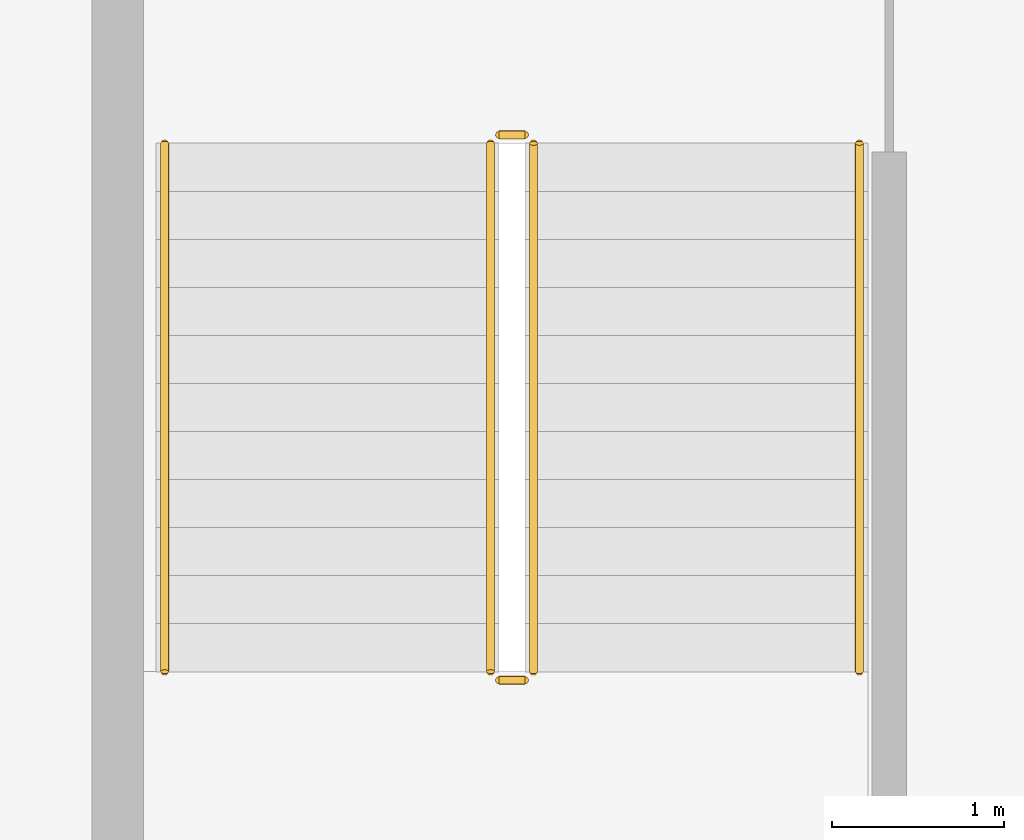
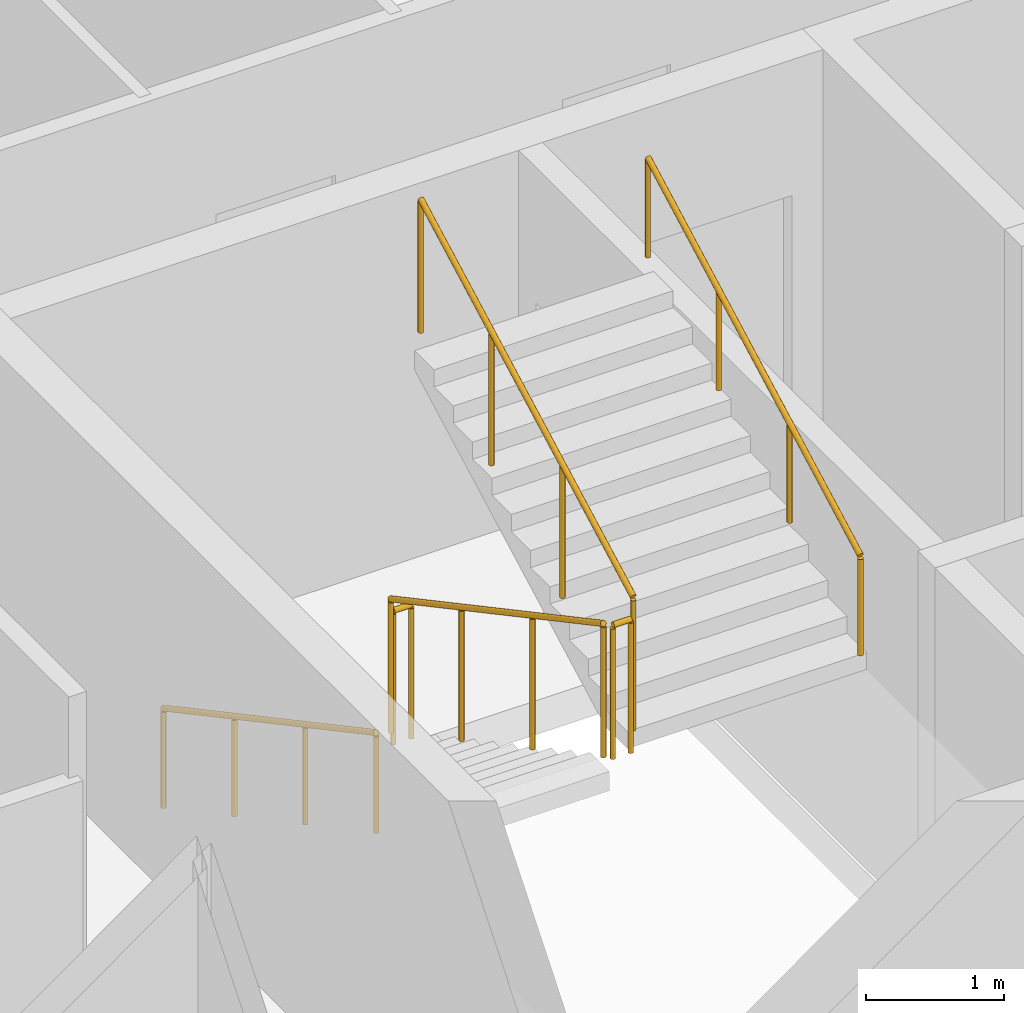
# One storey, part 13 of 15: 6 railings.
"""IFC4 building model written with IfcOpenShell, lengths in metres."""

import ifcopenshell
import ifcopenshell.guid

model = None  # the IFC model being written
_history = None  # IfcOwnerHistory: only IFC2X3 demands one
_inside = {}  # id of a spatial element -> (the spatial element, [elements in it])
_under = {}  # id of a project, library or spatial element -> (it, [spatial elements below it])
_declared = {}  # id of a project -> (the project, [libraries it declares])
_typed = {}  # id of a type object -> (the type object, [elements of that type])
_made_of = {}  # id of a material, layer set ... -> (it, [elements and type objects made of it])


def new_model(schema):
    """Start an empty IFC model of exactly this schema.

    Asked for "IFC4X3", IfcOpenShell would pick the latest addendum, in which some entities
    have other attributes; the version numbers below select the first issue.
    IFC2X3 requires an IfcOwnerHistory on every rooted entity: one is made here for all.
    """
    global model, _history
    if schema == "IFC4X3":
        model = ifcopenshell.file(schema_version=(4, 3, 0, 0))
    else:
        model = ifcopenshell.file(schema=schema)
    _inside.clear()
    _under.clear()
    _declared.clear()
    _typed.clear()
    _made_of.clear()
    _history = None
    if model.schema == "IFC2X3":
        org = make("IfcOrganization", Name="unknown")
        user = make(
            "IfcPersonAndOrganization",
            ThePerson=make("IfcPerson", FamilyName="unknown"),
            TheOrganization=org,
        )
        app = make(
            "IfcApplication",
            ApplicationDeveloper=org,
            Version="unknown",
            ApplicationFullName="unknown",
            ApplicationIdentifier="unknown",
        )
        _history = make(
            "IfcOwnerHistory",
            OwningUser=user,
            OwningApplication=app,
            ChangeAction="ADDED",
            CreationDate=0,
        )
    return model


def make(cls, **values):
    """One entity of the class cls with the attributes given. An attribute that is None is left unset."""
    return model.create_entity(
        cls, **{name: value for name, value in values.items() if value is not None}
    )


def rooted(cls, **values):
    """An entity with a GlobalId (a new one), such as an element, a storey or a relation."""
    return make(cls, GlobalId=ifcopenshell.guid.new(), OwnerHistory=_history, **values)


def si_unit(unit_type, name, prefix=None):
    """IfcSIUnit, for example si_unit("LENGTHUNIT", "METRE", prefix="MILLI")."""
    return make("IfcSIUnit", UnitType=unit_type, Prefix=prefix, Name=name)


def assignment(units):
    """IfcUnitAssignment: the units of a project."""
    return None if units is None else make("IfcUnitAssignment", Units=units)


def point(xyz):
    """IfcCartesianPoint."""
    return None if xyz is None else make("IfcCartesianPoint", Coordinates=xyz)


def direction(xyz):
    """IfcDirection."""
    return None if xyz is None else make("IfcDirection", DirectionRatios=xyz)


def frame(location, z_axis=None, x_axis=None):
    """IfcAxis2Placement3D, a coordinate frame: its origin and axes. An axis left out is left unset."""
    return make(
        "IfcAxis2Placement3D",
        Location=point(location),
        Axis=direction(z_axis),
        RefDirection=direction(x_axis),
    )


def frame_2d(location, x_axis=None):
    """IfcAxis2Placement2D, a coordinate frame in the plane: its origin and x axis."""
    return make(
        "IfcAxis2Placement2D", Location=point(location), RefDirection=direction(x_axis)
    )


def origin():
    """The frame at (0, 0, 0) with its axes left unset."""
    return frame((0.0, 0.0, 0.0))


def origin_2d():
    """The frame at (0, 0) in the plane with its x axis left unset."""
    return frame_2d((0.0, 0.0))


def place(relative_to, where):
    """IfcLocalPlacement: puts the frame where relative to a parent placement (None: the world)."""
    return make(
        "IfcLocalPlacement", PlacementRelTo=relative_to, RelativePlacement=where
    )


def context(
    kind, dimensions, precision=None, world=None, true_north=None, identifier=None
):
    """IfcGeometricRepresentationContext, for example the 3D "Model" context."""
    return make(
        "IfcGeometricRepresentationContext",
        ContextIdentifier=identifier,
        ContextType=kind,
        CoordinateSpaceDimension=dimensions,
        Precision=precision,
        WorldCoordinateSystem=world,
        TrueNorth=true_north,
    )


def subcontext(parent, identifier, kind, view, scale=None):
    """IfcGeometricRepresentationSubContext, for example "Body" below "Model"."""
    return make(
        "IfcGeometricRepresentationSubContext",
        ContextIdentifier=identifier,
        ContextType=kind,
        ParentContext=parent,
        TargetScale=scale,
        TargetView=view,
    )


def project(units=None, contexts=None):
    """IfcProject with its units and contexts."""
    return rooted(
        "IfcProject",
        Name="project",
        RepresentationContexts=contexts,
        UnitsInContext=assignment(units),
    )


def spatial(cls, under=None, at=None, **own):
    """A site, building, storey or space (cls), placed at a placement, below another one or the project."""
    s = rooted(cls, ObjectPlacement=at, **own)
    if under is not None:
        _under.setdefault(under.id(), (under, []))[1].append(s)
    return s


def profile(cls, at=None, kind="AREA", **sizes):
    """A parametric profile (cls). Its sizes go by their IFC names, for example OverallWidth=200.0."""
    return make(cls, ProfileType=kind, Position=at, **sizes)


def circle(**sizes):
    """IfcCircleProfileDef."""
    return profile("IfcCircleProfileDef", **sizes)


def extrude(swept, where, along, depth):
    """IfcExtrudedAreaSolid: the profile swept, set in the frame where, extruded along a direction by depth."""
    return make(
        "IfcExtrudedAreaSolid",
        SweptArea=swept,
        Position=where,
        ExtrudedDirection=direction(along),
        Depth=depth,
    )


def shape(context_of_items, identifier, shape_type, items):
    """IfcShapeRepresentation: the items that make up one representation, for example the "Body"."""
    return make(
        "IfcShapeRepresentation",
        ContextOfItems=context_of_items,
        RepresentationIdentifier=identifier,
        RepresentationType=shape_type,
        Items=items,
    )


def material(Name=None, Category=None):
    """IfcMaterial."""
    return make("IfcMaterial", Name=Name, Category=Category)


def made_of(thing, what):
    """Note that an element or type object is made of a material, layer set ...; save() writes the relation."""
    if what is not None:
        _made_of.setdefault(what.id(), (what, []))[1].append(thing)
    return thing


def type_object(cls, material=None, **own):
    """A type object (cls), such as IfcWallType, which elements share."""
    return made_of(rooted(cls, **own), material)


def element(
    cls,
    number,
    at=None,
    inside=None,
    cuts=None,
    type_object=None,
    material=None,
    context=None,
    identifier="Body",
    shape_type=None,
    held_by="IfcProductDefinitionShape",
    body=None,
    shapes=None,
    **own,
):
    """One element of the class cls, such as IfcWall. Its Tag is "e" and its number.

    at: its placement. inside: the storey or other place that contains it. cuts: it is an
    opening in that element (IfcRelVoidsElement). A single representation is given by context,
    identifier, shape_type and body (its items); several are given by shapes. held_by: the class
    of the entity that holds the representations. save() writes the other relations.
    """
    e = rooted(cls, Tag="e%d" % number, ObjectPlacement=at, **own)
    if body is not None:
        shapes = [shape(context, identifier, shape_type, body)]
    if shapes is not None:
        e.Representation = make(held_by, Representations=shapes)
    if inside is not None:
        _inside.setdefault(inside.id(), (inside, []))[1].append(e)
    if cuts is not None:
        rooted(
            "IfcRelVoidsElement", RelatingBuildingElement=cuts, RelatedOpeningElement=e
        )
    if type_object is not None:
        _typed.setdefault(type_object.id(), (type_object, []))[1].append(e)
    return made_of(e, material)


def aggregate(whole, parts):
    """IfcRelAggregates: a whole, such as a stair, and the parts it consists of."""
    return rooted("IfcRelAggregates", RelatingObject=whole, RelatedObjects=parts)


def save(model, path):
    """Write the relations noted so far, then the file.

    IfcRelAggregates (storeys below a building ...), IfcRelContainedInSpatialStructure (elements
    in a storey), IfcRelDefinesByType, IfcRelAssociatesMaterial and IfcRelDeclares: one each for
    every whole, place, type object, material and project.
    """
    for whole, parts in _under.values():
        aggregate(whole, parts)
    for where, things in _inside.values():
        rooted(
            "IfcRelContainedInSpatialStructure",
            RelatedElements=things,
            RelatingStructure=where,
        )
    for kind, things in _typed.values():
        rooted("IfcRelDefinesByType", RelatedObjects=things, RelatingType=kind)
    for what, things in _made_of.values():
        rooted("IfcRelAssociatesMaterial", RelatedObjects=things, RelatingMaterial=what)
    for by, libraries in _declared.values():
        rooted("IfcRelDeclares", RelatingContext=by, RelatedDefinitions=libraries)
    model.write(path)


model = new_model("IFC4")

# Units and contexts
model_context = context("Model", 3, precision=1e-05, world=origin(), true_north=direction((0.0, 1.0)))
body_context = subcontext(model_context, "Body", "Model", "MODEL_VIEW")
ifc_project = project(units=[si_unit("LENGTHUNIT", "METRE"), si_unit("AREAUNIT", "SQUARE_METRE"), si_unit("VOLUMEUNIT", "CUBIC_METRE"), si_unit("PLANEANGLEUNIT", "RADIAN"), si_unit("MASSUNIT", "GRAM", prefix="KILO")], contexts=[model_context])

# Site, building, storey
site_placement = place(None, origin())
site = spatial("IfcSite", under=ifc_project, at=site_placement, CompositionType="ELEMENT")
building_placement = place(site_placement, origin())
building = spatial("IfcBuilding", under=site, at=building_placement, Name="Caravel Reach Hotel and Residences", CompositionType="ELEMENT")
storey_placement = place(building_placement, frame((0.0, 0.0, 78.0)))
storey = spatial("IfcBuildingStorey", under=building, at=storey_placement, Name="L18", CompositionType="ELEMENT", Elevation=78.0)

# Railings
ifc_material_1 = material(Name="Steel balustrade with glass infill", Category="steel")
railing_type_1 = type_object("IfcRailingType", Name="Guard 1200", PredefinedType="GUARDRAIL", material=ifc_material_1)
railing_1_placement = place(storey_placement, frame((20.175048828125, 29.35009765625, 0.14990234375)))
element("IfcRailing", 1, at=railing_1_placement, inside=storey, type_object=railing_type_1, Name="L18 ST-A stair guard 1", PredefinedType="GUARDRAIL", context=body_context, shape_type="SweptSolid", body=[
    extrude(circle(Radius=0.02392578125, at=origin_2d()), frame((0.0, 0.0, 1.17578125), z_axis=(0.0, -0.881467505477, 0.472244678941), x_axis=(1.0, 0.0, 0.0)), (0.0, 0.0, 1.0), 3.494140625),
    extrude(circle(Radius=0.02099609375, at=origin_2d()), origin(), (0.0, 0.0, 1.0), 1.15185546875),
    extrude(circle(Radius=0.02099609375, at=origin_2d()), frame((0.0, -1.026611328125, 0.550048828125)), (0.0, 0.0, 1.0), 1.15185546875),
    extrude(circle(Radius=0.02099609375, at=origin_2d()), frame((0.0, -2.053466796875, 1.10009765625)), (0.0, 0.0, 1.0), 1.15185546875),
    extrude(circle(Radius=0.02099609375, at=origin_2d()), frame((0.0, -3.080078125, 1.650146484375)), (0.0, 0.0, 1.0), 1.15185546875),
])
railing_2_placement = place(storey_placement, frame((20.22509765625, 26.219970703125, 1.800048828125)))
element("IfcRailing", 2, at=railing_2_placement, inside=storey, type_object=railing_type_1, Name="L18 ST-A stair guard 2", PredefinedType="GUARDRAIL", context=body_context, shape_type="SweptSolid", body=[
    extrude(circle(Radius=0.02392578125, at=origin_2d()), frame((0.0, 0.0, 1.17578125), z_axis=(1.0, 0.0, 0.0), x_axis=(0.0, 1.0, 0.0)), (0.0, 0.0, 1.0), 0.14990234375),
    extrude(circle(Radius=0.02099609375, at=origin_2d()), origin(), (0.0, 0.0, 1.0), 1.15185546875),
    extrude(circle(Radius=0.02099609375, at=origin_2d()), frame((0.14990234375, 0.0, 0.0)), (0.0, 0.0, 1.0), 1.15185546875),
])
railing_3_placement = place(storey_placement, frame((20.425048828125, 26.27001953125, 1.949951171875)))
element("IfcRailing", 3, at=railing_3_placement, inside=storey, type_object=railing_type_1, Name="L18 ST-A stair guard 3", PredefinedType="GUARDRAIL", context=body_context, shape_type="SweptSolid", body=[
    extrude(circle(Radius=0.02392578125, at=origin_2d()), frame((0.0, 0.0, 1.17578125), z_axis=(0.0, 0.881467505477, 0.472244678941), x_axis=(-1.0, 0.0, 0.0)), (0.0, 0.0, 1.0), 3.494140625),
    extrude(circle(Radius=0.02099609375, at=origin_2d()), origin(), (0.0, 0.0, 1.0), 1.15185546875),
    extrude(circle(Radius=0.02099609375, at=origin_2d()), frame((0.0, 1.026611328125, 0.550048828125)), (0.0, 0.0, 1.0), 1.15185546875),
    extrude(circle(Radius=0.02099609375, at=origin_2d()), frame((0.0, 2.053466796875, 1.10009765625)), (0.0, 0.0, 1.0), 1.15185546875),
    extrude(circle(Radius=0.02099609375, at=origin_2d()), frame((0.0, 3.080078125, 1.650146484375)), (0.0, 0.0, 1.0), 1.15185546875),
])
railing_4_placement = place(storey_placement, frame((20.22509765625, 29.39990234375, 0.0)))
element("IfcRailing", 4, at=railing_4_placement, inside=storey, type_object=railing_type_1, Name="L18 ST-A stair guard 4", PredefinedType="GUARDRAIL", context=body_context, shape_type="SweptSolid", body=[
    extrude(circle(Radius=0.02392578125, at=origin_2d()), frame((0.0, 0.0, 1.17578125), z_axis=(1.0, 0.0, 0.0), x_axis=(0.0, 1.0, 0.0)), (0.0, 0.0, 1.0), 0.14990234375),
    extrude(circle(Radius=0.02099609375, at=origin_2d()), origin(), (0.0, 0.0, 1.0), 1.15185546875),
    extrude(circle(Radius=0.02099609375, at=origin_2d()), frame((0.14990234375, 0.0, 0.0)), (0.0, 0.0, 1.0), 1.15185546875),
])
ifc_material_2 = material(Name="Stainless steel handrail", Category="steel")
railing_type_2 = type_object("IfcRailingType", Name="Handrail 900", PredefinedType="HANDRAIL", material=ifc_material_2)
railing_5_placement = place(storey_placement, frame((18.27490234375, 29.35009765625, 0.14990234375)))
element("IfcRailing", 5, at=railing_5_placement, inside=storey, type_object=railing_type_2, Name="L18 ST-A stair handrail 1", PredefinedType="HANDRAIL", context=body_context, shape_type="SweptSolid", body=[
    extrude(circle(Radius=0.02392578125, at=origin_2d()), frame((0.0, 0.0, 0.8759765625), z_axis=(0.0, -0.881467505477, 0.472244678941), x_axis=(1.0, 0.0, 0.0)), (0.0, 0.0, 1.0), 3.494140625),
    extrude(circle(Radius=0.02099609375, at=origin_2d()), origin(), (0.0, 0.0, 1.0), 0.851806640625),
    extrude(circle(Radius=0.02099609375, at=origin_2d()), frame((0.0, -1.026611328125, 0.550048828125)), (0.0, 0.0, 1.0), 0.851806640625),
    extrude(circle(Radius=0.02099609375, at=origin_2d()), frame((0.0, -2.053466796875, 1.10009765625)), (0.0, 0.0, 1.0), 0.851806640625),
    extrude(circle(Radius=0.02099609375, at=origin_2d()), frame((0.0, -3.080078125, 1.650146484375)), (0.0, 0.0, 1.0), 0.851806640625),
])
railing_6_placement = place(storey_placement, frame((22.324951171875, 26.27001953125, 1.949951171875)))
element("IfcRailing", 6, at=railing_6_placement, inside=storey, type_object=railing_type_2, Name="L18 ST-A stair handrail 2", PredefinedType="HANDRAIL", context=body_context, shape_type="SweptSolid", body=[
    extrude(circle(Radius=0.02392578125, at=origin_2d()), frame((0.0, 0.0, 0.8759765625), z_axis=(0.0, 0.881467505477, 0.472244678941), x_axis=(-1.0, 0.0, 0.0)), (0.0, 0.0, 1.0), 3.494140625),
    extrude(circle(Radius=0.02099609375, at=origin_2d()), origin(), (0.0, 0.0, 1.0), 0.851806640625),
    extrude(circle(Radius=0.02099609375, at=origin_2d()), frame((0.0, 1.026611328125, 0.550048828125)), (0.0, 0.0, 1.0), 0.851806640625),
    extrude(circle(Radius=0.02099609375, at=origin_2d()), frame((0.0, 2.053466796875, 1.10009765625)), (0.0, 0.0, 1.0), 0.851806640625),
    extrude(circle(Radius=0.02099609375, at=origin_2d()), frame((0.0, 3.080078125, 1.650146484375)), (0.0, 0.0, 1.0), 0.851806640625),
])

save(model, "model.ifc")
